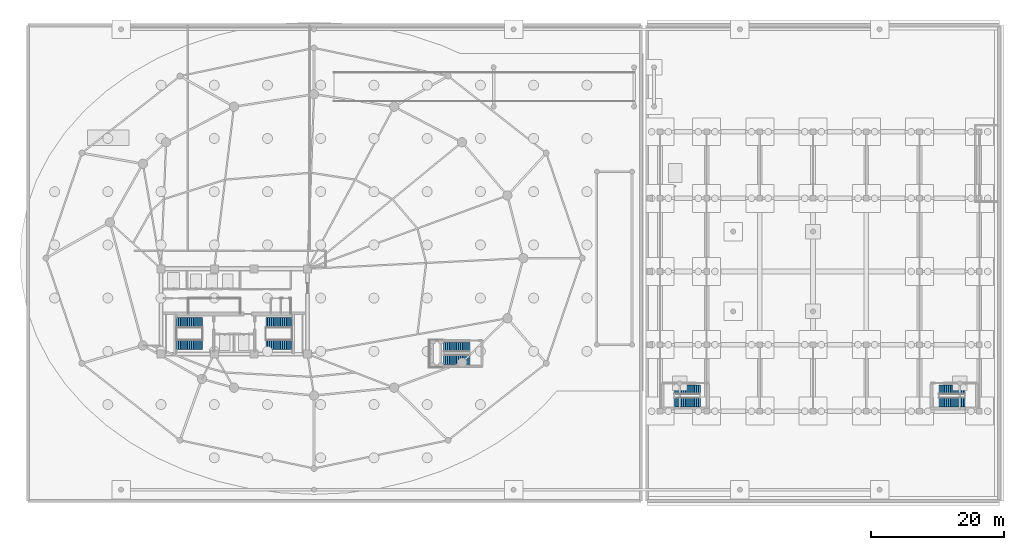
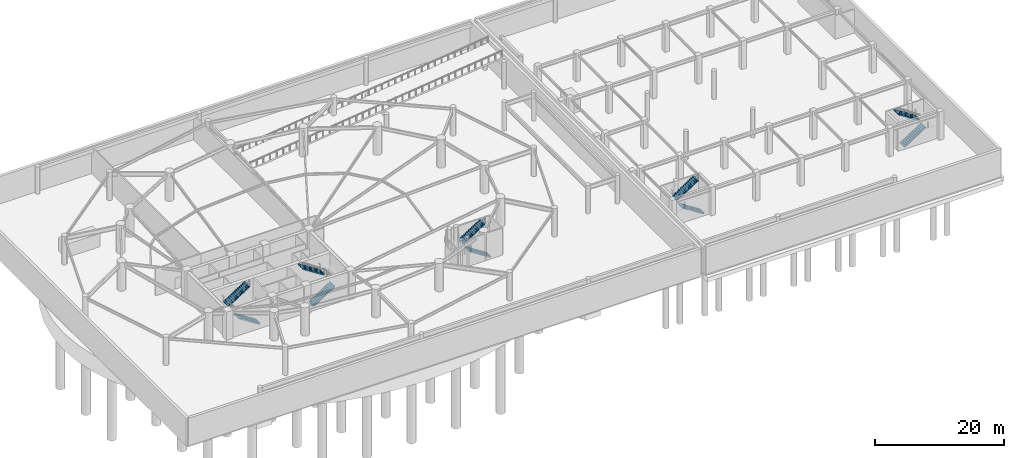
# One storey, part 14 of 22: 10 stair flights, 5 elements without a shape of their own.
"""IFC4 building model written with IfcOpenShell, lengths in metres."""

from ifc_helpers import new_model, si_unit, direction, frame, origin, place, context, subcontext, project, spatial, polyline, outline, extrude, material, layer, layer_set, type_object, element, aggregate, save


model = new_model("IFC4")

# Units and contexts
model_context = context("Model", 3, precision=1e-05, world=origin(), true_north=direction((0.0, 1.0)))
body_context = subcontext(model_context, "Body", "Model", "MODEL_VIEW")
ifc_project = project(units=[si_unit("LENGTHUNIT", "METRE"), si_unit("AREAUNIT", "SQUARE_METRE"), si_unit("VOLUMEUNIT", "CUBIC_METRE"), si_unit("PLANEANGLEUNIT", "RADIAN"), si_unit("MASSUNIT", "GRAM", prefix="KILO")], contexts=[model_context])

# Site, building, storey
site_placement = place(None, origin())
site = spatial("IfcSite", under=ifc_project, at=site_placement, CompositionType="ELEMENT")
building_placement = place(site_placement, origin())
building = spatial("IfcBuilding", under=site, at=building_placement, Name="Kazevale Care Tower and Concert Hall", CompositionType="ELEMENT")
storey_placement = place(building_placement, frame((0.0, 0.0, -5.39990234375)))
storey = spatial("IfcBuildingStorey", under=building, at=storey_placement, Name="B1", CompositionType="ELEMENT", Elevation=-5.39990234375)

# Stair, stair flights
ifc_material = material(Name="Concrete C40", Category="concrete")
stair_type_1 = type_object("IfcStairType", Name="Exit Stair Assembly ST1-B", PredefinedType="HALF_TURN_STAIR", material=ifc_material)
stair_1_placement = place(storey_placement, origin())
stair_1 = element("IfcStair", 1, at=stair_1_placement, inside=storey, type_object=stair_type_1, Name="stair:B1:ST1", PredefinedType="HALF_TURN_STAIR")
ifc_layer_1 = layer(ifc_material, 0.159912109375)
ifc_layer_set_1 = layer_set([ifc_layer_1], Name="Concrete C40")
stair_flight_type_1 = type_object("IfcStairFlightType", Name="Exit Stair Flight ST1-B", PredefinedType="STRAIGHT", material=ifc_layer_set_1)
stair_flight_1_placement = place(storey_placement, frame((28.25, 25.0, 0.0), z_axis=(0.0, 0.0, 1.0), x_axis=(-1.0, 0.0, 0.0)))
stair_flight_1 = element("IfcStairFlight", 2, at=stair_flight_1_placement, type_object=stair_flight_type_1, Name="ST1-B flight 1", NumberOfRisers=15, NumberOfTreads=14, PredefinedType="STRAIGHT", RiserHeight=0.18, TreadLength=0.28, context=body_context, shape_type="SweptSolid", body=[
    extrude(outline(polyline([(0.0, 0.0), (0.0, 0.179931640625), (0.280029296875, 0.179931640625), (0.280029296875, 0.360107421875), (0.56005859375, 0.360107421875), (0.56005859375, 0.5400390625), (0.840087890625, 0.5400390625), (0.840087890625, 0.719970703125), (1.1201171875, 0.719970703125), (1.1201171875, 0.89990234375), (1.39990234375, 0.89990234375), (1.39990234375, 1.080078125), (1.679931640625, 1.080078125), (1.679931640625, 1.260009765625), (1.9599609375, 1.260009765625), (1.9599609375, 1.43994140625), (2.239990234375, 1.43994140625), (2.239990234375, 1.6201171875), (2.52001953125, 1.6201171875), (2.52001953125, 1.800048828125), (2.800048828125, 1.800048828125), (2.800048828125, 1.97998046875), (3.080078125, 1.97998046875), (3.080078125, 2.159912109375), (3.360107421875, 2.159912109375), (3.360107421875, 2.340087890625), (3.639892578125, 2.340087890625), (3.639892578125, 2.52001953125), (3.919921875, 2.52001953125), (3.919921875, 2.699951171875), (3.919921875, 2.329833984375), (0.295654296875, 0.0), (0.0, 0.0)])), frame((0.0, 0.75, 0.0), z_axis=(0.0, -1.0, 0.0), x_axis=(1.0, 0.0, 0.0)), (0.0, 0.0, 1.0), 1.5),
])
stair_flight_2_placement = place(storey_placement, frame((24.330078125, 28.300048828125, 2.699951171875), z_axis=(0.0, 0.0, 1.0), x_axis=(1.0, 0.0, 0.0)))
stair_flight_2 = element("IfcStairFlight", 3, at=stair_flight_2_placement, type_object=stair_flight_type_1, Name="ST1-B flight 2", NumberOfRisers=15, NumberOfTreads=14, PredefinedType="STRAIGHT", RiserHeight=0.18, TreadLength=0.28, context=body_context, shape_type="SweptSolid", body=[
    extrude(outline(polyline([(0.0, 0.0), (0.0, 0.179931640625), (0.280029296875, 0.179931640625), (0.280029296875, 0.360107421875), (0.56005859375, 0.360107421875), (0.56005859375, 0.5400390625), (0.840087890625, 0.5400390625), (0.840087890625, 0.719970703125), (1.1201171875, 0.719970703125), (1.1201171875, 0.89990234375), (1.39990234375, 0.89990234375), (1.39990234375, 1.080078125), (1.679931640625, 1.080078125), (1.679931640625, 1.260009765625), (1.9599609375, 1.260009765625), (1.9599609375, 1.43994140625), (2.239990234375, 1.43994140625), (2.239990234375, 1.6201171875), (2.52001953125, 1.6201171875), (2.52001953125, 1.800048828125), (2.800048828125, 1.800048828125), (2.800048828125, 1.97998046875), (3.080078125, 1.97998046875), (3.080078125, 2.159912109375), (3.360107421875, 2.159912109375), (3.360107421875, 2.340087890625), (3.639892578125, 2.340087890625), (3.639892578125, 2.52001953125), (3.919921875, 2.52001953125), (3.919921875, 2.699951171875), (3.919921875, 2.329833984375), (0.295654296875, 0.0), (0.0, 0.0)])), frame((0.0, 0.75, 0.0), z_axis=(0.0, -1.0, 0.0), x_axis=(1.0, 0.0, 0.0)), (0.0, 0.0, 1.0), 1.5),
])
aggregate(stair_1, [stair_flight_1, stair_flight_2])

stair_2_placement = place(storey_placement, origin())
stair_2 = element("IfcStair", 4, at=stair_2_placement, inside=storey, type_object=stair_type_1, Name="stair:B1:ST2", PredefinedType="HALF_TURN_STAIR")
stair_flight_3_placement = place(storey_placement, frame((37.75, 25.0, 0.0), z_axis=(0.0, 0.0, 1.0), x_axis=(1.0, 0.0, 0.0)))
stair_flight_3 = element("IfcStairFlight", 5, at=stair_flight_3_placement, type_object=stair_flight_type_1, Name="ST1-B flight 1", NumberOfRisers=15, NumberOfTreads=14, PredefinedType="STRAIGHT", RiserHeight=0.18, TreadLength=0.28, context=body_context, shape_type="SweptSolid", body=[
    extrude(outline(polyline([(0.0, 0.0), (0.0, 0.179931640625), (0.280029296875, 0.179931640625), (0.280029296875, 0.360107421875), (0.56005859375, 0.360107421875), (0.56005859375, 0.5400390625), (0.840087890625, 0.5400390625), (0.840087890625, 0.719970703125), (1.1201171875, 0.719970703125), (1.1201171875, 0.89990234375), (1.39990234375, 0.89990234375), (1.39990234375, 1.080078125), (1.679931640625, 1.080078125), (1.679931640625, 1.260009765625), (1.9599609375, 1.260009765625), (1.9599609375, 1.43994140625), (2.239990234375, 1.43994140625), (2.239990234375, 1.6201171875), (2.52001953125, 1.6201171875), (2.52001953125, 1.800048828125), (2.800048828125, 1.800048828125), (2.800048828125, 1.97998046875), (3.080078125, 1.97998046875), (3.080078125, 2.159912109375), (3.360107421875, 2.159912109375), (3.360107421875, 2.340087890625), (3.639892578125, 2.340087890625), (3.639892578125, 2.52001953125), (3.919921875, 2.52001953125), (3.919921875, 2.699951171875), (3.919921875, 2.329833984375), (0.295654296875, 0.0), (0.0, 0.0)])), frame((0.0, 0.75, 0.0), z_axis=(0.0, -1.0, 0.0), x_axis=(1.0, 0.0, 0.0)), (0.0, 0.0, 1.0), 1.5),
])
stair_flight_4_placement = place(storey_placement, frame((41.669921875, 28.300048828125, 2.699951171875), z_axis=(0.0, 0.0, 1.0), x_axis=(-1.0, 0.0, 0.0)))
stair_flight_4 = element("IfcStairFlight", 6, at=stair_flight_4_placement, type_object=stair_flight_type_1, Name="ST1-B flight 2", NumberOfRisers=15, NumberOfTreads=14, PredefinedType="STRAIGHT", RiserHeight=0.18, TreadLength=0.28, context=body_context, shape_type="SweptSolid", body=[
    extrude(outline(polyline([(0.0, 0.0), (0.0, 0.179931640625), (0.280029296875, 0.179931640625), (0.280029296875, 0.360107421875), (0.56005859375, 0.360107421875), (0.56005859375, 0.5400390625), (0.840087890625, 0.5400390625), (0.840087890625, 0.719970703125), (1.1201171875, 0.719970703125), (1.1201171875, 0.89990234375), (1.39990234375, 0.89990234375), (1.39990234375, 1.080078125), (1.679931640625, 1.080078125), (1.679931640625, 1.260009765625), (1.9599609375, 1.260009765625), (1.9599609375, 1.43994140625), (2.239990234375, 1.43994140625), (2.239990234375, 1.6201171875), (2.52001953125, 1.6201171875), (2.52001953125, 1.800048828125), (2.800048828125, 1.800048828125), (2.800048828125, 1.97998046875), (3.080078125, 1.97998046875), (3.080078125, 2.159912109375), (3.360107421875, 2.159912109375), (3.360107421875, 2.340087890625), (3.639892578125, 2.340087890625), (3.639892578125, 2.52001953125), (3.919921875, 2.52001953125), (3.919921875, 2.699951171875), (3.919921875, 2.329833984375), (0.295654296875, 0.0), (0.0, 0.0)])), frame((0.0, 0.75, 0.0), z_axis=(0.0, -1.0, 0.0), x_axis=(1.0, 0.0, 0.0)), (0.0, 0.0, 1.0), 1.5),
])
aggregate(stair_2, [stair_flight_3, stair_flight_4])

stair_type_2 = type_object("IfcStairType", Name="Exit Stair Assembly ST3-P", PredefinedType="HALF_TURN_STAIR", material=ifc_material)
stair_3_placement = place(storey_placement, origin())
stair_3 = element("IfcStair", 7, at=stair_3_placement, inside=storey, type_object=stair_type_2, Name="stair:B1:ST3", PredefinedType="HALF_TURN_STAIR")
ifc_layer_2 = layer(ifc_material, 0.159912109375)
ifc_layer_set_2 = layer_set([ifc_layer_2], Name="Concrete C40")
stair_flight_type_2 = type_object("IfcStairFlightType", Name="Exit Stair Flight ST3-P", PredefinedType="STRAIGHT", material=ifc_layer_set_2)
stair_flight_5_placement = place(storey_placement, frame((68.39990234375, 22.764892578125, 0.0), z_axis=(0.0, 0.0, 1.0), x_axis=(-1.0, 0.0, 0.0)))
stair_flight_5 = element("IfcStairFlight", 8, at=stair_flight_5_placement, type_object=stair_flight_type_2, Name="ST3-P flight 1", NumberOfRisers=15, NumberOfTreads=14, PredefinedType="STRAIGHT", RiserHeight=0.18, TreadLength=0.28, context=body_context, shape_type="SweptSolid", body=[
    extrude(outline(polyline([(0.0, 0.0), (0.0, 0.179931640625), (0.280029296875, 0.179931640625), (0.280029296875, 0.360107421875), (0.56005859375, 0.360107421875), (0.56005859375, 0.5400390625), (0.840087890625, 0.5400390625), (0.840087890625, 0.719970703125), (1.1201171875, 0.719970703125), (1.1201171875, 0.89990234375), (1.39990234375, 0.89990234375), (1.39990234375, 1.080078125), (1.679931640625, 1.080078125), (1.679931640625, 1.260009765625), (1.9599609375, 1.260009765625), (1.9599609375, 1.43994140625), (2.239990234375, 1.43994140625), (2.239990234375, 1.6201171875), (2.52001953125, 1.6201171875), (2.52001953125, 1.800048828125), (2.800048828125, 1.800048828125), (2.800048828125, 1.97998046875), (3.080078125, 1.97998046875), (3.080078125, 2.159912109375), (3.360107421875, 2.159912109375), (3.360107421875, 2.340087890625), (3.639892578125, 2.340087890625), (3.639892578125, 2.52001953125), (3.919921875, 2.52001953125), (3.919921875, 2.699951171875), (3.919921875, 2.329833984375), (0.295654296875, 0.0), (0.0, 0.0)])), frame((0.0, 0.71484375, 0.0), z_axis=(0.0, -1.0, 0.0), x_axis=(1.0, 0.0, 0.0)), (0.0, 0.0, 1.0), 1.429931640625),
])
stair_flight_6_placement = place(storey_placement, frame((64.47998046875, 24.635009765625, 2.699951171875), z_axis=(0.0, 0.0, 1.0), x_axis=(1.0, 0.0, 0.0)))
stair_flight_6 = element("IfcStairFlight", 9, at=stair_flight_6_placement, type_object=stair_flight_type_2, Name="ST3-P flight 2", NumberOfRisers=15, NumberOfTreads=14, PredefinedType="STRAIGHT", RiserHeight=0.18, TreadLength=0.28, context=body_context, shape_type="SweptSolid", body=[
    extrude(outline(polyline([(0.0, 0.0), (0.0, 0.179931640625), (0.280029296875, 0.179931640625), (0.280029296875, 0.360107421875), (0.56005859375, 0.360107421875), (0.56005859375, 0.5400390625), (0.840087890625, 0.5400390625), (0.840087890625, 0.719970703125), (1.1201171875, 0.719970703125), (1.1201171875, 0.89990234375), (1.39990234375, 0.89990234375), (1.39990234375, 1.080078125), (1.679931640625, 1.080078125), (1.679931640625, 1.260009765625), (1.9599609375, 1.260009765625), (1.9599609375, 1.43994140625), (2.239990234375, 1.43994140625), (2.239990234375, 1.6201171875), (2.52001953125, 1.6201171875), (2.52001953125, 1.800048828125), (2.800048828125, 1.800048828125), (2.800048828125, 1.97998046875), (3.080078125, 1.97998046875), (3.080078125, 2.159912109375), (3.360107421875, 2.159912109375), (3.360107421875, 2.340087890625), (3.639892578125, 2.340087890625), (3.639892578125, 2.52001953125), (3.919921875, 2.52001953125), (3.919921875, 2.699951171875), (3.919921875, 2.329833984375), (0.295654296875, 0.0), (0.0, 0.0)])), frame((0.0, 0.71484375, 0.0), z_axis=(0.0, -1.0, 0.0), x_axis=(1.0, 0.0, 0.0)), (0.0, 0.0, 1.0), 1.429931640625),
])
aggregate(stair_3, [stair_flight_5, stair_flight_6])

stair_type_3 = type_object("IfcStairType", Name="Exit Stair Assembly ST4-H", PredefinedType="HALF_TURN_STAIR", material=ifc_material)
stair_4_placement = place(storey_placement, origin())
stair_4 = element("IfcStair", 10, at=stair_4_placement, inside=storey, type_object=stair_type_3, Name="stair:B1:ST4", PredefinedType="HALF_TURN_STAIR")
ifc_layer_3 = layer(ifc_material, 0.159912109375)
ifc_layer_set_3 = layer_set([ifc_layer_3], Name="Concrete C40")
stair_flight_type_3 = type_object("IfcStairFlightType", Name="Exit Stair Flight ST4-H", PredefinedType="STRAIGHT", material=ifc_layer_set_3)
stair_flight_7_placement = place(storey_placement, frame((103.050048828125, 16.35498046875, 0.0), z_axis=(0.0, 0.0, 1.0), x_axis=(-1.0, 0.0, 0.0)))
stair_flight_7 = element("IfcStairFlight", 11, at=stair_flight_7_placement, type_object=stair_flight_type_3, Name="ST4-H flight 1", NumberOfRisers=15, NumberOfTreads=14, PredefinedType="STRAIGHT", RiserHeight=0.18, TreadLength=0.28, context=body_context, shape_type="SweptSolid", body=[
    extrude(outline(polyline([(0.0, 0.0), (0.0, 0.179931640625), (0.280029296875, 0.179931640625), (0.280029296875, 0.360107421875), (0.56005859375, 0.360107421875), (0.56005859375, 0.5400390625), (0.840087890625, 0.5400390625), (0.840087890625, 0.719970703125), (1.1201171875, 0.719970703125), (1.1201171875, 0.89990234375), (1.39990234375, 0.89990234375), (1.39990234375, 1.080078125), (1.679931640625, 1.080078125), (1.679931640625, 1.260009765625), (1.9599609375, 1.260009765625), (1.9599609375, 1.43994140625), (2.239990234375, 1.43994140625), (2.239990234375, 1.6201171875), (2.52001953125, 1.6201171875), (2.52001953125, 1.800048828125), (2.800048828125, 1.800048828125), (2.800048828125, 1.97998046875), (3.080078125, 1.97998046875), (3.080078125, 2.159912109375), (3.360107421875, 2.159912109375), (3.360107421875, 2.340087890625), (3.639892578125, 2.340087890625), (3.639892578125, 2.52001953125), (3.919921875, 2.52001953125), (3.919921875, 2.699951171875), (3.919921875, 2.329833984375), (0.295654296875, 0.0), (0.0, 0.0)])), frame((0.0, 0.705078125, 0.0), z_axis=(0.0, -1.0, 0.0), x_axis=(1.0, 0.0, 0.0)), (0.0, 0.0, 1.0), 1.409912109375),
])
stair_flight_8_placement = place(storey_placement, frame((99.1298828125, 18.2451171875, 2.699951171875), z_axis=(0.0, 0.0, 1.0), x_axis=(1.0, 0.0, 0.0)))
stair_flight_8 = element("IfcStairFlight", 12, at=stair_flight_8_placement, type_object=stair_flight_type_3, Name="ST4-H flight 2", NumberOfRisers=15, NumberOfTreads=14, PredefinedType="STRAIGHT", RiserHeight=0.18, TreadLength=0.28, context=body_context, shape_type="SweptSolid", body=[
    extrude(outline(polyline([(0.0, 0.0), (0.0, 0.179931640625), (0.280029296875, 0.179931640625), (0.280029296875, 0.360107421875), (0.56005859375, 0.360107421875), (0.56005859375, 0.5400390625), (0.840087890625, 0.5400390625), (0.840087890625, 0.719970703125), (1.1201171875, 0.719970703125), (1.1201171875, 0.89990234375), (1.39990234375, 0.89990234375), (1.39990234375, 1.080078125), (1.679931640625, 1.080078125), (1.679931640625, 1.260009765625), (1.9599609375, 1.260009765625), (1.9599609375, 1.43994140625), (2.239990234375, 1.43994140625), (2.239990234375, 1.6201171875), (2.52001953125, 1.6201171875), (2.52001953125, 1.800048828125), (2.800048828125, 1.800048828125), (2.800048828125, 1.97998046875), (3.080078125, 1.97998046875), (3.080078125, 2.159912109375), (3.360107421875, 2.159912109375), (3.360107421875, 2.340087890625), (3.639892578125, 2.340087890625), (3.639892578125, 2.52001953125), (3.919921875, 2.52001953125), (3.919921875, 2.699951171875), (3.919921875, 2.329833984375), (0.295654296875, 0.0), (0.0, 0.0)])), frame((0.0, 0.705078125, 0.0), z_axis=(0.0, -1.0, 0.0), x_axis=(1.0, 0.0, 0.0)), (0.0, 0.0, 1.0), 1.409912109375),
])
aggregate(stair_4, [stair_flight_7, stair_flight_8])

stair_5_placement = place(storey_placement, origin())
stair_5 = element("IfcStair", 13, at=stair_5_placement, inside=storey, type_object=stair_type_3, Name="stair:B1:ST5", PredefinedType="HALF_TURN_STAIR")
stair_flight_9_placement = place(storey_placement, frame((138.949951171875, 16.35498046875, 0.0), z_axis=(0.0, 0.0, 1.0), x_axis=(1.0, 0.0, 0.0)))
stair_flight_9 = element("IfcStairFlight", 14, at=stair_flight_9_placement, type_object=stair_flight_type_3, Name="ST4-H flight 1", NumberOfRisers=15, NumberOfTreads=14, PredefinedType="STRAIGHT", RiserHeight=0.18, TreadLength=0.28, context=body_context, shape_type="SweptSolid", body=[
    extrude(outline(polyline([(0.0, 0.0), (0.0, 0.179931640625), (0.280029296875, 0.179931640625), (0.280029296875, 0.360107421875), (0.56005859375, 0.360107421875), (0.56005859375, 0.5400390625), (0.840087890625, 0.5400390625), (0.840087890625, 0.719970703125), (1.1201171875, 0.719970703125), (1.1201171875, 0.89990234375), (1.39990234375, 0.89990234375), (1.39990234375, 1.080078125), (1.679931640625, 1.080078125), (1.679931640625, 1.260009765625), (1.9599609375, 1.260009765625), (1.9599609375, 1.43994140625), (2.239990234375, 1.43994140625), (2.239990234375, 1.6201171875), (2.52001953125, 1.6201171875), (2.52001953125, 1.800048828125), (2.800048828125, 1.800048828125), (2.800048828125, 1.97998046875), (3.080078125, 1.97998046875), (3.080078125, 2.159912109375), (3.360107421875, 2.159912109375), (3.360107421875, 2.340087890625), (3.639892578125, 2.340087890625), (3.639892578125, 2.52001953125), (3.919921875, 2.52001953125), (3.919921875, 2.699951171875), (3.919921875, 2.329833984375), (0.295654296875, 0.0), (0.0, 0.0)])), frame((0.0, 0.705078125, 0.0), z_axis=(0.0, -1.0, 0.0), x_axis=(1.0, 0.0, 0.0)), (0.0, 0.0, 1.0), 1.409912109375),
])
stair_flight_10_placement = place(storey_placement, frame((142.8701171875, 18.2451171875, 2.699951171875), z_axis=(0.0, 0.0, 1.0), x_axis=(-1.0, 0.0, 0.0)))
stair_flight_10 = element("IfcStairFlight", 15, at=stair_flight_10_placement, type_object=stair_flight_type_3, Name="ST4-H flight 2", NumberOfRisers=15, NumberOfTreads=14, PredefinedType="STRAIGHT", RiserHeight=0.18, TreadLength=0.28, context=body_context, shape_type="SweptSolid", body=[
    extrude(outline(polyline([(0.0, 0.0), (0.0, 0.179931640625), (0.280029296875, 0.179931640625), (0.280029296875, 0.360107421875), (0.56005859375, 0.360107421875), (0.56005859375, 0.5400390625), (0.840087890625, 0.5400390625), (0.840087890625, 0.719970703125), (1.1201171875, 0.719970703125), (1.1201171875, 0.89990234375), (1.39990234375, 0.89990234375), (1.39990234375, 1.080078125), (1.679931640625, 1.080078125), (1.679931640625, 1.260009765625), (1.9599609375, 1.260009765625), (1.9599609375, 1.43994140625), (2.239990234375, 1.43994140625), (2.239990234375, 1.6201171875), (2.52001953125, 1.6201171875), (2.52001953125, 1.800048828125), (2.800048828125, 1.800048828125), (2.800048828125, 1.97998046875), (3.080078125, 1.97998046875), (3.080078125, 2.159912109375), (3.360107421875, 2.159912109375), (3.360107421875, 2.340087890625), (3.639892578125, 2.340087890625), (3.639892578125, 2.52001953125), (3.919921875, 2.52001953125), (3.919921875, 2.699951171875), (3.919921875, 2.329833984375), (0.295654296875, 0.0), (0.0, 0.0)])), frame((0.0, 0.705078125, 0.0), z_axis=(0.0, -1.0, 0.0), x_axis=(1.0, 0.0, 0.0)), (0.0, 0.0, 1.0), 1.409912109375),
])
aggregate(stair_5, [stair_flight_9, stair_flight_10])

save(model, "model.ifc")
